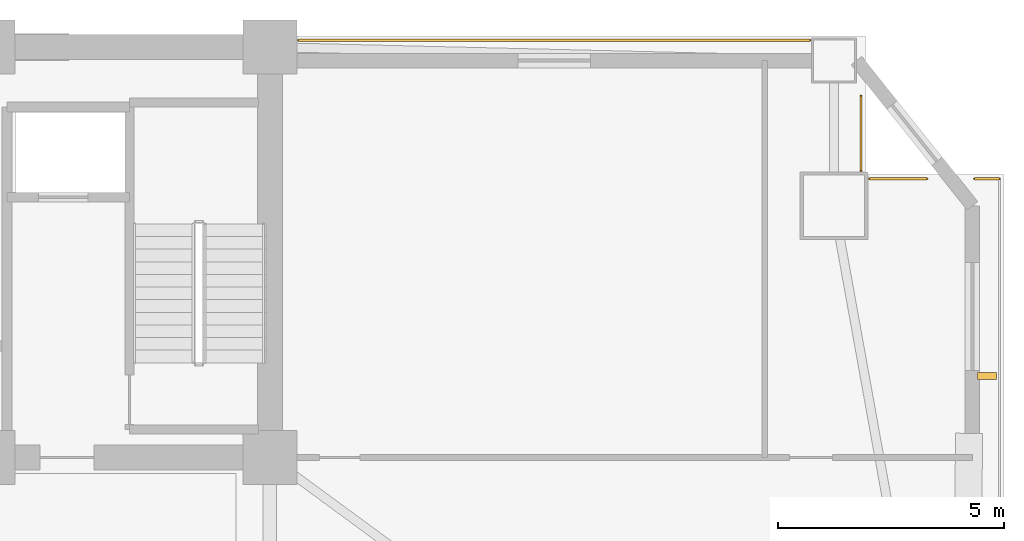
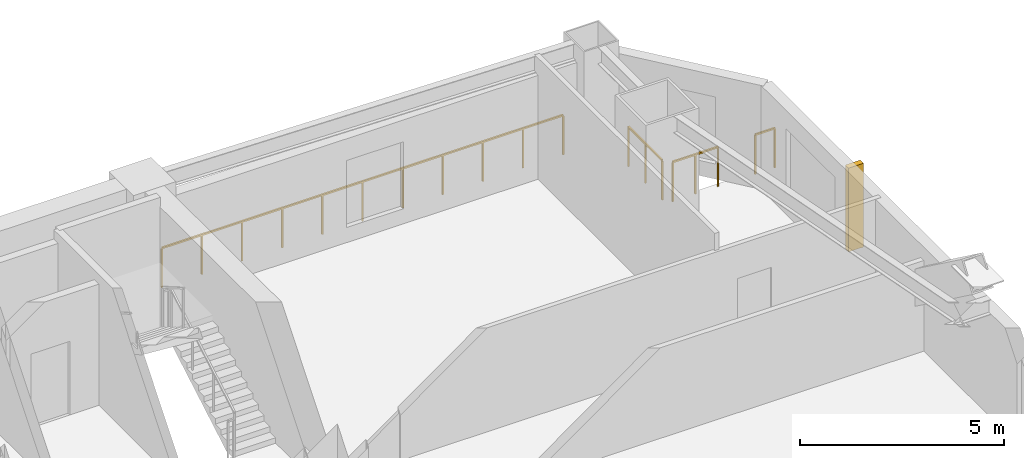
# One storey, part 16 of 16: 4 railings, 1 shading device.
"""IFC4 building model written with IfcOpenShell, lengths in metres."""

import ifcopenshell
import ifcopenshell.guid

model = None  # the IFC model being written
_history = None  # IfcOwnerHistory: only IFC2X3 demands one
_inside = {}  # id of a spatial element -> (the spatial element, [elements in it])
_under = {}  # id of a project, library or spatial element -> (it, [spatial elements below it])
_declared = {}  # id of a project -> (the project, [libraries it declares])
_typed = {}  # id of a type object -> (the type object, [elements of that type])
_made_of = {}  # id of a material, layer set ... -> (it, [elements and type objects made of it])


def new_model(schema):
    """Start an empty IFC model of exactly this schema.

    Asked for "IFC4X3", IfcOpenShell would pick the latest addendum, in which some entities
    have other attributes; the version numbers below select the first issue.
    IFC2X3 requires an IfcOwnerHistory on every rooted entity: one is made here for all.
    """
    global model, _history
    if schema == "IFC4X3":
        model = ifcopenshell.file(schema_version=(4, 3, 0, 0))
    else:
        model = ifcopenshell.file(schema=schema)
    _inside.clear()
    _under.clear()
    _declared.clear()
    _typed.clear()
    _made_of.clear()
    _history = None
    if model.schema == "IFC2X3":
        org = make("IfcOrganization", Name="unknown")
        user = make(
            "IfcPersonAndOrganization",
            ThePerson=make("IfcPerson", FamilyName="unknown"),
            TheOrganization=org,
        )
        app = make(
            "IfcApplication",
            ApplicationDeveloper=org,
            Version="unknown",
            ApplicationFullName="unknown",
            ApplicationIdentifier="unknown",
        )
        _history = make(
            "IfcOwnerHistory",
            OwningUser=user,
            OwningApplication=app,
            ChangeAction="ADDED",
            CreationDate=0,
        )
    return model


def make(cls, **values):
    """One entity of the class cls with the attributes given. An attribute that is None is left unset."""
    return model.create_entity(
        cls, **{name: value for name, value in values.items() if value is not None}
    )


def rooted(cls, **values):
    """An entity with a GlobalId (a new one), such as an element, a storey or a relation."""
    return make(cls, GlobalId=ifcopenshell.guid.new(), OwnerHistory=_history, **values)


def si_unit(unit_type, name, prefix=None):
    """IfcSIUnit, for example si_unit("LENGTHUNIT", "METRE", prefix="MILLI")."""
    return make("IfcSIUnit", UnitType=unit_type, Prefix=prefix, Name=name)


def assignment(units):
    """IfcUnitAssignment: the units of a project."""
    return None if units is None else make("IfcUnitAssignment", Units=units)


def point(xyz):
    """IfcCartesianPoint."""
    return None if xyz is None else make("IfcCartesianPoint", Coordinates=xyz)


def direction(xyz):
    """IfcDirection."""
    return None if xyz is None else make("IfcDirection", DirectionRatios=xyz)


def frame(location, z_axis=None, x_axis=None):
    """IfcAxis2Placement3D, a coordinate frame: its origin and axes. An axis left out is left unset."""
    return make(
        "IfcAxis2Placement3D",
        Location=point(location),
        Axis=direction(z_axis),
        RefDirection=direction(x_axis),
    )


def frame_2d(location, x_axis=None):
    """IfcAxis2Placement2D, a coordinate frame in the plane: its origin and x axis."""
    return make(
        "IfcAxis2Placement2D", Location=point(location), RefDirection=direction(x_axis)
    )


def origin():
    """The frame at (0, 0, 0) with its axes left unset."""
    return frame((0.0, 0.0, 0.0))


def origin_2d():
    """The frame at (0, 0) in the plane with its x axis left unset."""
    return frame_2d((0.0, 0.0))


def place(relative_to, where):
    """IfcLocalPlacement: puts the frame where relative to a parent placement (None: the world)."""
    return make(
        "IfcLocalPlacement", PlacementRelTo=relative_to, RelativePlacement=where
    )


def context(
    kind, dimensions, precision=None, world=None, true_north=None, identifier=None
):
    """IfcGeometricRepresentationContext, for example the 3D "Model" context."""
    return make(
        "IfcGeometricRepresentationContext",
        ContextIdentifier=identifier,
        ContextType=kind,
        CoordinateSpaceDimension=dimensions,
        Precision=precision,
        WorldCoordinateSystem=world,
        TrueNorth=true_north,
    )


def subcontext(parent, identifier, kind, view, scale=None):
    """IfcGeometricRepresentationSubContext, for example "Body" below "Model"."""
    return make(
        "IfcGeometricRepresentationSubContext",
        ContextIdentifier=identifier,
        ContextType=kind,
        ParentContext=parent,
        TargetScale=scale,
        TargetView=view,
    )


def project(units=None, contexts=None):
    """IfcProject with its units and contexts."""
    return rooted(
        "IfcProject",
        Name="project",
        RepresentationContexts=contexts,
        UnitsInContext=assignment(units),
    )


def spatial(cls, under=None, at=None, **own):
    """A site, building, storey or space (cls), placed at a placement, below another one or the project."""
    s = rooted(cls, ObjectPlacement=at, **own)
    if under is not None:
        _under.setdefault(under.id(), (under, []))[1].append(s)
    return s


def profile(cls, at=None, kind="AREA", **sizes):
    """A parametric profile (cls). Its sizes go by their IFC names, for example OverallWidth=200.0."""
    return make(cls, ProfileType=kind, Position=at, **sizes)


def rectangle(**sizes):
    """IfcRectangleProfileDef."""
    return profile("IfcRectangleProfileDef", **sizes)


def extrude(swept, where, along, depth):
    """IfcExtrudedAreaSolid: the profile swept, set in the frame where, extruded along a direction by depth."""
    return make(
        "IfcExtrudedAreaSolid",
        SweptArea=swept,
        Position=where,
        ExtrudedDirection=direction(along),
        Depth=depth,
    )


def shape(context_of_items, identifier, shape_type, items):
    """IfcShapeRepresentation: the items that make up one representation, for example the "Body"."""
    return make(
        "IfcShapeRepresentation",
        ContextOfItems=context_of_items,
        RepresentationIdentifier=identifier,
        RepresentationType=shape_type,
        Items=items,
    )


def source(mapping_origin, context_of_items, identifier, shape_type, items):
    """IfcRepresentationMap: a shape defined once, which mapped items show again and again."""
    return make(
        "IfcRepresentationMap",
        MappingOrigin=mapping_origin,
        MappedRepresentation=shape(context_of_items, identifier, shape_type, items),
    )


def transform(
    local_origin,
    x_axis=None,
    y_axis=None,
    z_axis=None,
    scale=None,
    scale2=None,
    scale3=None,
    uniform=True,
):
    """IfcCartesianTransformationOperator3D, or its non-uniform kind. x_axis, y_axis, z_axis: its Axis1, 2, 3."""
    if uniform:
        return make(
            "IfcCartesianTransformationOperator3D",
            Axis1=direction(x_axis),
            Axis2=direction(y_axis),
            LocalOrigin=point(local_origin),
            Scale=scale,
            Axis3=direction(z_axis),
        )
    return make(
        "IfcCartesianTransformationOperator3DnonUniform",
        Axis1=direction(x_axis),
        Axis2=direction(y_axis),
        LocalOrigin=point(local_origin),
        Scale=scale,
        Axis3=direction(z_axis),
        Scale2=scale2,
        Scale3=scale3,
    )


def mapped(mapping_source, mapping_target):
    """IfcMappedItem: shows the shape of a source again, moved by a transform."""
    return make(
        "IfcMappedItem", MappingSource=mapping_source, MappingTarget=mapping_target
    )


def material(Name=None, Category=None):
    """IfcMaterial."""
    return make("IfcMaterial", Name=Name, Category=Category)


def made_of(thing, what):
    """Note that an element or type object is made of a material, layer set ...; save() writes the relation."""
    if what is not None:
        _made_of.setdefault(what.id(), (what, []))[1].append(thing)
    return thing


def type_object(cls, material=None, **own):
    """A type object (cls), such as IfcWallType, which elements share."""
    return made_of(rooted(cls, **own), material)


def element(
    cls,
    number,
    at=None,
    inside=None,
    cuts=None,
    type_object=None,
    material=None,
    context=None,
    identifier="Body",
    shape_type=None,
    held_by="IfcProductDefinitionShape",
    body=None,
    shapes=None,
    **own,
):
    """One element of the class cls, such as IfcWall. Its Tag is "e" and its number.

    at: its placement. inside: the storey or other place that contains it. cuts: it is an
    opening in that element (IfcRelVoidsElement). A single representation is given by context,
    identifier, shape_type and body (its items); several are given by shapes. held_by: the class
    of the entity that holds the representations. save() writes the other relations.
    """
    e = rooted(cls, Tag="e%d" % number, ObjectPlacement=at, **own)
    if body is not None:
        shapes = [shape(context, identifier, shape_type, body)]
    if shapes is not None:
        e.Representation = make(held_by, Representations=shapes)
    if inside is not None:
        _inside.setdefault(inside.id(), (inside, []))[1].append(e)
    if cuts is not None:
        rooted(
            "IfcRelVoidsElement", RelatingBuildingElement=cuts, RelatedOpeningElement=e
        )
    if type_object is not None:
        _typed.setdefault(type_object.id(), (type_object, []))[1].append(e)
    return made_of(e, material)


def aggregate(whole, parts):
    """IfcRelAggregates: a whole, such as a stair, and the parts it consists of."""
    return rooted("IfcRelAggregates", RelatingObject=whole, RelatedObjects=parts)


def save(model, path):
    """Write the relations noted so far, then the file.

    IfcRelAggregates (storeys below a building ...), IfcRelContainedInSpatialStructure (elements
    in a storey), IfcRelDefinesByType, IfcRelAssociatesMaterial and IfcRelDeclares: one each for
    every whole, place, type object, material and project.
    """
    for whole, parts in _under.values():
        aggregate(whole, parts)
    for where, things in _inside.values():
        rooted(
            "IfcRelContainedInSpatialStructure",
            RelatedElements=things,
            RelatingStructure=where,
        )
    for kind, things in _typed.values():
        rooted("IfcRelDefinesByType", RelatedObjects=things, RelatingType=kind)
    for what, things in _made_of.values():
        rooted("IfcRelAssociatesMaterial", RelatedObjects=things, RelatingMaterial=what)
    for by, libraries in _declared.values():
        rooted("IfcRelDeclares", RelatingContext=by, RelatedDefinitions=libraries)
    model.write(path)


model = new_model("IFC4")

# Units and contexts
model_context = context("Model", 3, precision=1e-05, world=origin(), true_north=direction((0.0, 1.0)))
body_context = subcontext(model_context, "Body", "Model", "MODEL_VIEW")
ifc_project = project(units=[si_unit("LENGTHUNIT", "METRE"), si_unit("AREAUNIT", "SQUARE_METRE"), si_unit("VOLUMEUNIT", "CUBIC_METRE"), si_unit("PLANEANGLEUNIT", "RADIAN"), si_unit("MASSUNIT", "GRAM", prefix="KILO")], contexts=[model_context])

# Site, building, storey
site_placement = place(None, origin())
site = spatial("IfcSite", under=ifc_project, at=site_placement, CompositionType="ELEMENT")
building_placement = place(site_placement, origin())
building = spatial("IfcBuilding", under=site, at=building_placement, Name="Giltprow Tower", CompositionType="ELEMENT")
storey_placement = place(building_placement, frame((0.0, 0.0, 91.300048828125)))
storey = spatial("IfcBuildingStorey", under=building, at=storey_placement, Name="L22", CompositionType="ELEMENT", Elevation=91.300048828125)

# Railings
ifc_material = material(Name="Anodized bronze", Category="metal")
railing_type = type_object("IfcRailingType", Name="RAIL-BALC-GUARD-1200", PredefinedType="BALUSTRADE", material=ifc_material)
railing_1_placement = place(storey_placement, frame((51.18505859375, 46.699951171875, 0.0)))
element("IfcRailing", 1, at=railing_1_placement, inside=storey, type_object=railing_type, Name="L22 Corner Apron Edge Balustrade 10", PredefinedType="BALUSTRADE", context=body_context, shape_type="SweptSolid", body=[
    extrude(rectangle(XDim=0.048095703125, YDim=0.048095703125, at=origin_2d()), frame((0.0, 0.0, 1.17578125), z_axis=(1.0, 0.0, 0.0), x_axis=(0.0, 1.0, 0.0)), (0.0, 0.0, 1.0), 11.3359375),
    extrude(rectangle(XDim=0.0419921875, YDim=0.0419921875, at=origin_2d()), origin(), (0.0, 0.0, 1.0), 1.15185546875),
    extrude(rectangle(XDim=0.0419921875, YDim=0.0419921875, at=origin_2d()), frame((1.133544921875, 0.0, 0.0)), (0.0, 0.0, 1.0), 1.15185546875),
    extrude(rectangle(XDim=0.0419921875, YDim=0.0419921875, at=origin_2d()), frame((2.26708984375, 0.0, 0.0)), (0.0, 0.0, 1.0), 1.15185546875),
    extrude(rectangle(XDim=0.0419921875, YDim=0.0419921875, at=origin_2d()), frame((3.40087890625, 0.0, 0.0)), (0.0, 0.0, 1.0), 1.15185546875),
    extrude(rectangle(XDim=0.0419921875, YDim=0.0419921875, at=origin_2d()), frame((4.534423828125, 0.0, 0.0)), (0.0, 0.0, 1.0), 1.15185546875),
    extrude(rectangle(XDim=0.0419921875, YDim=0.0419921875, at=origin_2d()), frame((5.66796875, 0.0, 0.0)), (0.0, 0.0, 1.0), 1.15185546875),
    extrude(rectangle(XDim=0.0419921875, YDim=0.0419921875, at=origin_2d()), frame((6.801513671875, 0.0, 0.0)), (0.0, 0.0, 1.0), 1.15185546875),
    extrude(rectangle(XDim=0.0419921875, YDim=0.0419921875, at=origin_2d()), frame((7.93505859375, 0.0, 0.0)), (0.0, 0.0, 1.0), 1.15185546875),
    extrude(rectangle(XDim=0.0419921875, YDim=0.0419921875, at=origin_2d()), frame((9.06884765625, 0.0, 0.0)), (0.0, 0.0, 1.0), 1.15185546875),
    extrude(rectangle(XDim=0.0419921875, YDim=0.0419921875, at=origin_2d()), frame((10.202392578125, 0.0, 0.0)), (0.0, 0.0, 1.0), 1.15185546875),
    extrude(rectangle(XDim=0.0419921875, YDim=0.0419921875, at=origin_2d()), frame((11.3359375, 0.0, 0.0)), (0.0, 0.0, 1.0), 1.15185546875),
])
railing_2_placement = place(storey_placement, frame((63.656005859375, 45.467041015625, 0.0)))
element("IfcRailing", 2, at=railing_2_placement, inside=storey, type_object=railing_type, Name="L22 Corner Apron Edge Balustrade 11", PredefinedType="BALUSTRADE", context=body_context, shape_type="SweptSolid", body=[
    extrude(rectangle(XDim=0.048095703125, YDim=0.048095703125, at=origin_2d()), frame((0.0, 0.0, 1.17578125), z_axis=(0.0, -1.0, 0.0), x_axis=(1.0, 0.0, 0.0)), (0.0, 0.0, 1.0), 1.652099609375),
    extrude(rectangle(XDim=0.0419921875, YDim=0.0419921875, at=origin_2d()), origin(), (0.0, 0.0, 1.0), 1.15185546875),
    extrude(rectangle(XDim=0.0419921875, YDim=0.0419921875, at=origin_2d()), frame((0.0, -0.826171875, 0.0)), (0.0, 0.0, 1.0), 1.15185546875),
    extrude(rectangle(XDim=0.0419921875, YDim=0.0419921875, at=origin_2d()), frame((0.0, -1.652099609375, 0.0)), (0.0, 0.0, 1.0), 1.15185546875),
])
railing_3_placement = place(storey_placement, frame((63.841064453125, 43.6298828125, 0.0)))
element("IfcRailing", 3, at=railing_3_placement, inside=storey, type_object=railing_type, Name="L22 Corner Apron Edge Balustrade 12", PredefinedType="BALUSTRADE", context=body_context, shape_type="SweptSolid", body=[
    extrude(rectangle(XDim=0.048095703125, YDim=0.048095703125, at=origin_2d()), frame((0.0, 0.0, 1.17578125), z_axis=(1.0, 0.0, 0.0), x_axis=(0.0, 1.0, 0.0)), (0.0, 0.0, 1.0), 1.281982421875),
    extrude(rectangle(XDim=0.0419921875, YDim=0.0419921875, at=origin_2d()), origin(), (0.0, 0.0, 1.0), 1.15185546875),
    extrude(rectangle(XDim=0.0419921875, YDim=0.0419921875, at=origin_2d()), frame((0.64111328125, 0.0, 0.0)), (0.0, 0.0, 1.0), 1.15185546875),
    extrude(rectangle(XDim=0.0419921875, YDim=0.0419921875, at=origin_2d()), frame((1.281982421875, 0.0, 0.0)), (0.0, 0.0, 1.0), 1.15185546875),
])
railing_4_placement = place(storey_placement, frame((66.172119140625, 43.6298828125, 0.0)))
element("IfcRailing", 4, at=railing_4_placement, inside=storey, type_object=railing_type, Name="L22 Corner Apron Edge Balustrade 13", PredefinedType="BALUSTRADE", context=body_context, shape_type="SweptSolid", body=[
    extrude(rectangle(XDim=0.048095703125, YDim=0.048095703125, at=origin_2d()), frame((0.0, 0.0, 1.17578125), z_axis=(1.0, 0.0, 0.0), x_axis=(0.0, 1.0, 0.0)), (0.0, 0.0, 1.0), 0.553955078125),
    extrude(rectangle(XDim=0.0419921875, YDim=0.0419921875, at=origin_2d()), origin(), (0.0, 0.0, 1.0), 1.15185546875),
    extrude(rectangle(XDim=0.0419921875, YDim=0.0419921875, at=origin_2d()), frame((0.553955078125, 0.0, 0.0)), (0.0, 0.0, 1.0), 1.15185546875),
])

# Shading device
shading_device_type = type_object("IfcShadingDeviceType", Name="SHD-FIN-420", PredefinedType="USERDEFINED", material=ifc_material)
shared_shape = source(origin(), body_context, "Body", "SweptSolid", [
    extrude(rectangle(XDim=0.419921875, YDim=0.159912109375, at=origin_2d()), origin(), (0.0, 0.0, 1.0), 2.5),
])
shading_device_placement = place(storey_placement, frame((66.446044921875, 39.2548828125, 0.349853515625), z_axis=(0.0, 0.0, 1.0), x_axis=(1.0, 0.0, 0.0)))
element("IfcShadingDevice", 5, at=shading_device_placement, inside=storey, type_object=shading_device_type, Name="L22 E Bronze Vertical Fin 2-2", ObjectType="FIN", PredefinedType="USERDEFINED", context=body_context, shape_type="MappedRepresentation", body=[
    mapped(shared_shape, transform((0.0, 0.0, 0.0), x_axis=(1.0, 0.0, 0.0), y_axis=(0.0, 1.0, 0.0), z_axis=(0.0, 0.0, 1.0), scale=1.0)),
])

save(model, "model.ifc")
